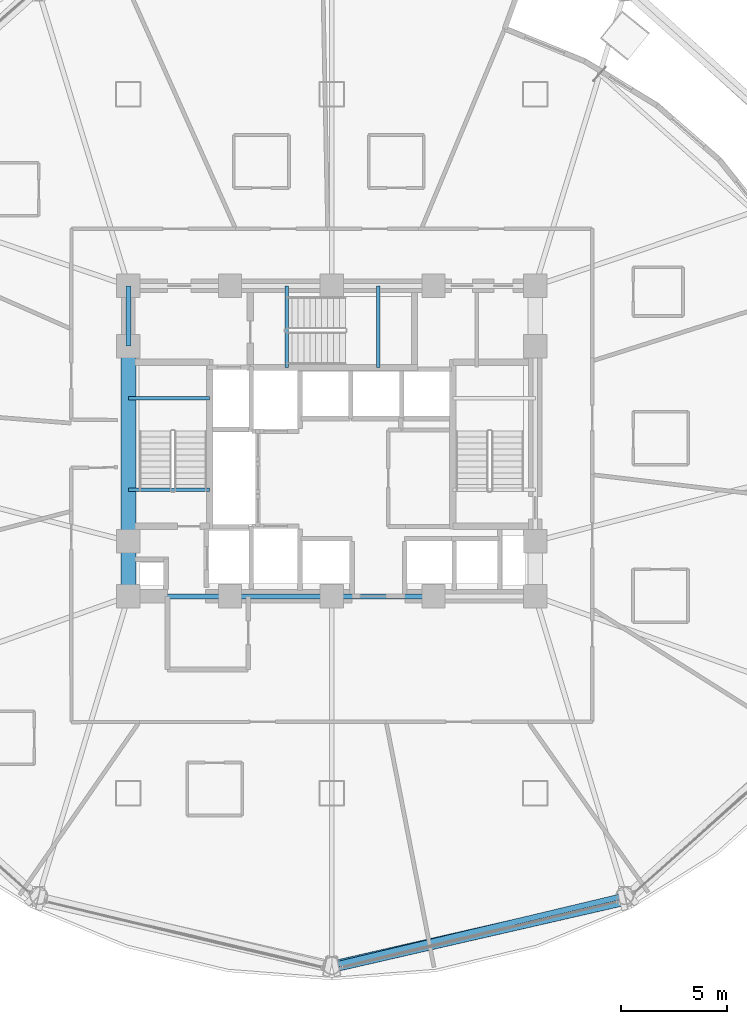
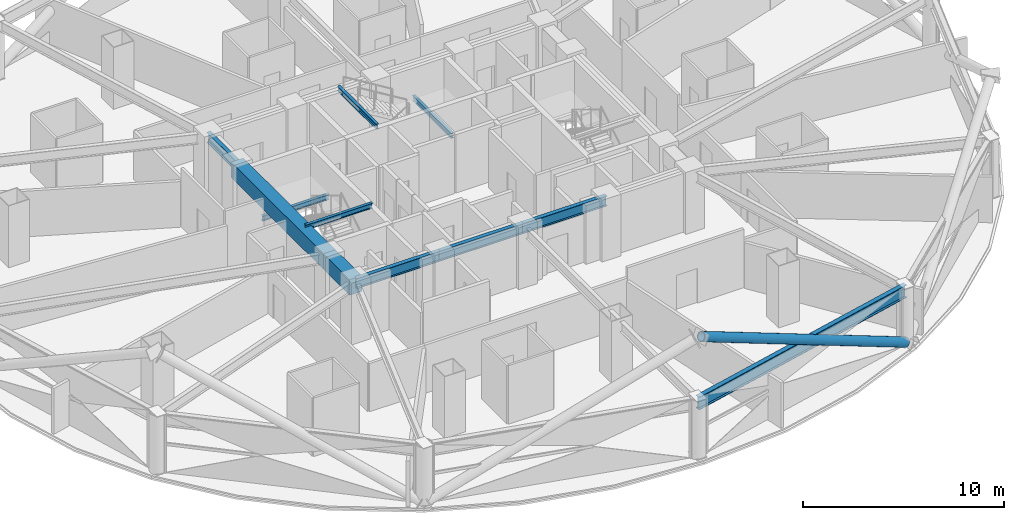
# One storey, part 7 of 33: 11 beams, 1 member.
"""IFC4 building model written with IfcOpenShell, lengths in metres."""

import ifcopenshell
import ifcopenshell.guid

model = None  # the IFC model being written
_history = None  # IfcOwnerHistory: only IFC2X3 demands one
_inside = {}  # id of a spatial element -> (the spatial element, [elements in it])
_under = {}  # id of a project, library or spatial element -> (it, [spatial elements below it])
_declared = {}  # id of a project -> (the project, [libraries it declares])
_typed = {}  # id of a type object -> (the type object, [elements of that type])
_made_of = {}  # id of a material, layer set ... -> (it, [elements and type objects made of it])


def new_model(schema):
    """Start an empty IFC model of exactly this schema.

    Asked for "IFC4X3", IfcOpenShell would pick the latest addendum, in which some entities
    have other attributes; the version numbers below select the first issue.
    IFC2X3 requires an IfcOwnerHistory on every rooted entity: one is made here for all.
    """
    global model, _history
    if schema == "IFC4X3":
        model = ifcopenshell.file(schema_version=(4, 3, 0, 0))
    else:
        model = ifcopenshell.file(schema=schema)
    _inside.clear()
    _under.clear()
    _declared.clear()
    _typed.clear()
    _made_of.clear()
    _history = None
    if model.schema == "IFC2X3":
        org = make("IfcOrganization", Name="unknown")
        user = make(
            "IfcPersonAndOrganization",
            ThePerson=make("IfcPerson", FamilyName="unknown"),
            TheOrganization=org,
        )
        app = make(
            "IfcApplication",
            ApplicationDeveloper=org,
            Version="unknown",
            ApplicationFullName="unknown",
            ApplicationIdentifier="unknown",
        )
        _history = make(
            "IfcOwnerHistory",
            OwningUser=user,
            OwningApplication=app,
            ChangeAction="ADDED",
            CreationDate=0,
        )
    return model


def make(cls, **values):
    """One entity of the class cls with the attributes given. An attribute that is None is left unset."""
    return model.create_entity(
        cls, **{name: value for name, value in values.items() if value is not None}
    )


def rooted(cls, **values):
    """An entity with a GlobalId (a new one), such as an element, a storey or a relation."""
    return make(cls, GlobalId=ifcopenshell.guid.new(), OwnerHistory=_history, **values)


def si_unit(unit_type, name, prefix=None):
    """IfcSIUnit, for example si_unit("LENGTHUNIT", "METRE", prefix="MILLI")."""
    return make("IfcSIUnit", UnitType=unit_type, Prefix=prefix, Name=name)


def assignment(units):
    """IfcUnitAssignment: the units of a project."""
    return None if units is None else make("IfcUnitAssignment", Units=units)


def point(xyz):
    """IfcCartesianPoint."""
    return None if xyz is None else make("IfcCartesianPoint", Coordinates=xyz)


def direction(xyz):
    """IfcDirection."""
    return None if xyz is None else make("IfcDirection", DirectionRatios=xyz)


def frame(location, z_axis=None, x_axis=None):
    """IfcAxis2Placement3D, a coordinate frame: its origin and axes. An axis left out is left unset."""
    return make(
        "IfcAxis2Placement3D",
        Location=point(location),
        Axis=direction(z_axis),
        RefDirection=direction(x_axis),
    )


def frame_2d(location, x_axis=None):
    """IfcAxis2Placement2D, a coordinate frame in the plane: its origin and x axis."""
    return make(
        "IfcAxis2Placement2D", Location=point(location), RefDirection=direction(x_axis)
    )


def origin():
    """The frame at (0, 0, 0) with its axes left unset."""
    return frame((0.0, 0.0, 0.0))


def origin_2d():
    """The frame at (0, 0) in the plane with its x axis left unset."""
    return frame_2d((0.0, 0.0))


def place(relative_to, where):
    """IfcLocalPlacement: puts the frame where relative to a parent placement (None: the world)."""
    return make(
        "IfcLocalPlacement", PlacementRelTo=relative_to, RelativePlacement=where
    )


def context(
    kind, dimensions, precision=None, world=None, true_north=None, identifier=None
):
    """IfcGeometricRepresentationContext, for example the 3D "Model" context."""
    return make(
        "IfcGeometricRepresentationContext",
        ContextIdentifier=identifier,
        ContextType=kind,
        CoordinateSpaceDimension=dimensions,
        Precision=precision,
        WorldCoordinateSystem=world,
        TrueNorth=true_north,
    )


def subcontext(parent, identifier, kind, view, scale=None):
    """IfcGeometricRepresentationSubContext, for example "Body" below "Model"."""
    return make(
        "IfcGeometricRepresentationSubContext",
        ContextIdentifier=identifier,
        ContextType=kind,
        ParentContext=parent,
        TargetScale=scale,
        TargetView=view,
    )


def project(units=None, contexts=None):
    """IfcProject with its units and contexts."""
    return rooted(
        "IfcProject",
        Name="project",
        RepresentationContexts=contexts,
        UnitsInContext=assignment(units),
    )


def spatial(cls, under=None, at=None, **own):
    """A site, building, storey or space (cls), placed at a placement, below another one or the project."""
    s = rooted(cls, ObjectPlacement=at, **own)
    if under is not None:
        _under.setdefault(under.id(), (under, []))[1].append(s)
    return s


def profile(cls, at=None, kind="AREA", **sizes):
    """A parametric profile (cls). Its sizes go by their IFC names, for example OverallWidth=200.0."""
    return make(cls, ProfileType=kind, Position=at, **sizes)


def rectangle(**sizes):
    """IfcRectangleProfileDef."""
    return profile("IfcRectangleProfileDef", **sizes)


def hollow_circle(**sizes):
    """IfcCircleHollowProfileDef."""
    return profile("IfcCircleHollowProfileDef", **sizes)


def i_section(**sizes):
    """IfcIShapeProfileDef."""
    return profile("IfcIShapeProfileDef", **sizes)


def extrude(swept, where, along, depth):
    """IfcExtrudedAreaSolid: the profile swept, set in the frame where, extruded along a direction by depth."""
    return make(
        "IfcExtrudedAreaSolid",
        SweptArea=swept,
        Position=where,
        ExtrudedDirection=direction(along),
        Depth=depth,
    )


def shape(context_of_items, identifier, shape_type, items):
    """IfcShapeRepresentation: the items that make up one representation, for example the "Body"."""
    return make(
        "IfcShapeRepresentation",
        ContextOfItems=context_of_items,
        RepresentationIdentifier=identifier,
        RepresentationType=shape_type,
        Items=items,
    )


def material(Name=None, Category=None):
    """IfcMaterial."""
    return make("IfcMaterial", Name=Name, Category=Category)


def material_profile(
    of_material, cross_section, Name=None, Category=None, Priority=None
):
    """IfcMaterialProfile: a cross section and its material."""
    return make(
        "IfcMaterialProfile",
        Name=Name,
        Material=of_material,
        Profile=cross_section,
        Priority=Priority,
        Category=Category,
    )


def profile_set(profiles, Name=None, composite=None):
    """IfcMaterialProfileSet."""
    return make(
        "IfcMaterialProfileSet",
        Name=Name,
        MaterialProfiles=profiles,
        CompositeProfile=composite,
    )


def made_of(thing, what):
    """Note that an element or type object is made of a material, layer set ...; save() writes the relation."""
    if what is not None:
        _made_of.setdefault(what.id(), (what, []))[1].append(thing)
    return thing


def type_object(cls, material=None, **own):
    """A type object (cls), such as IfcWallType, which elements share."""
    return made_of(rooted(cls, **own), material)


def element(
    cls,
    number,
    at=None,
    inside=None,
    cuts=None,
    type_object=None,
    material=None,
    context=None,
    identifier="Body",
    shape_type=None,
    held_by="IfcProductDefinitionShape",
    body=None,
    shapes=None,
    **own,
):
    """One element of the class cls, such as IfcWall. Its Tag is "e" and its number.

    at: its placement. inside: the storey or other place that contains it. cuts: it is an
    opening in that element (IfcRelVoidsElement). A single representation is given by context,
    identifier, shape_type and body (its items); several are given by shapes. held_by: the class
    of the entity that holds the representations. save() writes the other relations.
    """
    e = rooted(cls, Tag="e%d" % number, ObjectPlacement=at, **own)
    if body is not None:
        shapes = [shape(context, identifier, shape_type, body)]
    if shapes is not None:
        e.Representation = make(held_by, Representations=shapes)
    if inside is not None:
        _inside.setdefault(inside.id(), (inside, []))[1].append(e)
    if cuts is not None:
        rooted(
            "IfcRelVoidsElement", RelatingBuildingElement=cuts, RelatedOpeningElement=e
        )
    if type_object is not None:
        _typed.setdefault(type_object.id(), (type_object, []))[1].append(e)
    return made_of(e, material)


def aggregate(whole, parts):
    """IfcRelAggregates: a whole, such as a stair, and the parts it consists of."""
    return rooted("IfcRelAggregates", RelatingObject=whole, RelatedObjects=parts)


def save(model, path):
    """Write the relations noted so far, then the file.

    IfcRelAggregates (storeys below a building ...), IfcRelContainedInSpatialStructure (elements
    in a storey), IfcRelDefinesByType, IfcRelAssociatesMaterial and IfcRelDeclares: one each for
    every whole, place, type object, material and project.
    """
    for whole, parts in _under.values():
        aggregate(whole, parts)
    for where, things in _inside.values():
        rooted(
            "IfcRelContainedInSpatialStructure",
            RelatedElements=things,
            RelatingStructure=where,
        )
    for kind, things in _typed.values():
        rooted("IfcRelDefinesByType", RelatedObjects=things, RelatingType=kind)
    for what, things in _made_of.values():
        rooted("IfcRelAssociatesMaterial", RelatedObjects=things, RelatingMaterial=what)
    for by, libraries in _declared.values():
        rooted("IfcRelDeclares", RelatingContext=by, RelatedDefinitions=libraries)
    model.write(path)


model = new_model("IFC4")

# Units and contexts
model_context = context("Model", 3, precision=1e-05, world=origin(), true_north=direction((0.0, 1.0)))
body_context = subcontext(model_context, "Body", "Model", "MODEL_VIEW")
ifc_project = project(units=[si_unit("LENGTHUNIT", "METRE"), si_unit("AREAUNIT", "SQUARE_METRE"), si_unit("VOLUMEUNIT", "CUBIC_METRE"), si_unit("PLANEANGLEUNIT", "RADIAN"), si_unit("MASSUNIT", "GRAM", prefix="KILO")], contexts=[model_context])

# Site, building, storey
site_placement = place(None, origin())
site = spatial("IfcSite", under=ifc_project, at=site_placement, CompositionType="ELEMENT")
building_placement = place(site_placement, origin())
building = spatial("IfcBuilding", under=site, at=building_placement, Name="Vantalir Tower", CompositionType="ELEMENT")
storey_placement = place(building_placement, frame((0.0, 0.0, 72.0)))
storey = spatial("IfcBuildingStorey", under=building, at=storey_placement, Name="L17", CompositionType="ELEMENT", Elevation=72.0)

# Beams
ifc_material_1 = material(Name="Concrete C60/75", Category="concrete")
ifc_material_profile_1 = material_profile(ifc_material_1, rectangle(XDim=0.699951171875, YDim=0.949951171875, at=origin_2d()), Name="Concrete C60/75")
ifc_profile_set_1 = profile_set([ifc_material_profile_1], Name="Concrete C60/75")
beam_type_1 = type_object("IfcBeamType", Name="BM-CB-700x950", PredefinedType="USERDEFINED", material=ifc_profile_set_1)
beam_1_placement = place(storey_placement, frame((21.89990234375, 29.60009765625, 3.094970703125), z_axis=(0.0, -1.0, 0.0), x_axis=(1.0, 0.0, 0.0)))
element("IfcBeam", 1, at=beam_1_placement, inside=storey, type_object=beam_type_1, Name="L17 Core Coupling Girder 13", ObjectType="GIRDER", PredefinedType="USERDEFINED", context=body_context, shape_type="SweptSolid", body=[
    extrude(rectangle(XDim=0.699951171875, YDim=0.949951171875, at=origin_2d()), origin(), (0.0, 0.0, 1.0), 9.2001953125),
])
beam_2_placement = place(storey_placement, frame((21.89990234375, 20.39990234375, 3.094970703125), z_axis=(0.0, -1.0, 0.0), x_axis=(1.0, 0.0, 0.0)))
element("IfcBeam", 2, at=beam_2_placement, inside=storey, type_object=beam_type_1, Name="L17 Core Coupling Girder 14", ObjectType="GIRDER", PredefinedType="USERDEFINED", context=body_context, shape_type="SweptSolid", body=[
    extrude(rectangle(XDim=0.699951171875, YDim=0.949951171875, at=origin_2d()), origin(), (0.0, 0.0, 1.0), 2.599853515625),
])
ifc_material_2 = material(Name="Steel S355", Category="steel")
ifc_material_profile_2 = material_profile(ifc_material_2, i_section(OverallWidth=0.166015625, OverallDepth=0.306884765625, WebThickness=0.006591796875, FlangeThickness=0.01171875, at=origin_2d()), Name="Steel S355")
ifc_profile_set_2 = profile_set([ifc_material_profile_2], Name="Steel S355")
beam_type_2 = type_object("IfcBeamType", Name="BM-JS-305x165", PredefinedType="JOIST", material=ifc_profile_set_2)
for number, where, z_axis, x_axis, name in (
    (3, (21.89990234375, 22.8349609375, 3.595947265625), (1.0, 0.0, 0.0), (0.0, 1.0, 0.0), "L18 Stair ST1 Well Nosing Trimmer Beam"),
    (4, (21.89990234375, 27.14501953125, 1.52197265625), (1.0, 0.0, 0.0), (0.0, 1.0, 0.0), "L17 Stair ST1 Half-Landing Support Beam"),
):
    element("IfcBeam", number, at=place(storey_placement, frame(where, z_axis=z_axis, x_axis=x_axis)), inside=storey, type_object=beam_type_2, Name=name, PredefinedType="JOIST", context=body_context, shape_type="SweptSolid", body=[
        extrude(i_section(OverallWidth=0.166015625, OverallDepth=0.306884765625, WebThickness=0.006591796875, FlangeThickness=0.01171875, at=origin_2d()), origin(), (0.0, 0.0, 1.0), 3.840087890625),
    ])
for number, where, z_axis, x_axis, name in (
    (5, (29.385009765625, 28.60009765625, 3.595947265625), (0.0, 1.0, 0.0), (-1.0, 0.0, 0.0), "L18 Stair ST3 Well Nosing Trimmer Beam"),
    (6, (33.695068359375, 28.60009765625, 1.52197265625), (0.0, 1.0, 0.0), (-1.0, 0.0, 0.0), "L17 Stair ST3 Half-Landing Support Beam"),
):
    element("IfcBeam", number, at=place(storey_placement, frame(where, z_axis=z_axis, x_axis=x_axis)), inside=storey, type_object=beam_type_2, Name=name, PredefinedType="JOIST", context=body_context, shape_type="SweptSolid", body=[
        extrude(i_section(OverallWidth=0.166015625, OverallDepth=0.306884765625, WebThickness=0.006591796875, FlangeThickness=0.01171875, at=origin_2d()), origin(), (0.0, 0.0, 1.0), 3.849853515625),
    ])
ifc_material_profile_3 = material_profile(ifc_material_2, i_section(OverallWidth=0.22998046875, OverallDepth=0.616943359375, WebThickness=0.01318359375, FlangeThickness=0.022216796875, at=origin_2d()), Name="Steel S355")
ifc_profile_set_3 = profile_set([ifc_material_profile_3], Name="Steel S355")
beam_type_3 = type_object("IfcBeamType", Name="BM-RB-610x229", PredefinedType="BEAM", material=ifc_profile_set_3)
for number, where, z_axis, x_axis, name in (
    (7, (21.89990234375, 17.800048828125, 3.261962890625), (1.0, 0.0, 0.0), (0.0, 1.0, 0.0), "L17 Core Coupling Girder 01"),
    (8, (26.699951171875, 17.800048828125, 3.261962890625), (1.0, 0.0, 0.0), (0.0, 1.0, 0.0), "L17 Core Coupling Girder 02"),
    (9, (31.5, 17.800048828125, 3.261962890625), (1.0, 0.0, 0.0), (0.0, 1.0, 0.0), "L17 Core Coupling Girder 03"),
):
    element("IfcBeam", number, at=place(storey_placement, frame(where, z_axis=z_axis, x_axis=x_axis)), inside=storey, type_object=beam_type_3, Name=name, PredefinedType="BEAM", context=body_context, shape_type="SweptSolid", body=[
        extrude(i_section(OverallWidth=0.22998046875, OverallDepth=0.616943359375, WebThickness=0.01318359375, FlangeThickness=0.022216796875, at=origin_2d()), origin(), (0.0, 0.0, 1.0), 4.800048828125),
    ])
beam_3_placement = place(storey_placement, frame((21.89990234375, 32.449951171875, 3.261962890625), z_axis=(0.0, -1.0, 0.0), x_axis=(1.0, 0.0, 0.0)))
element("IfcBeam", 10, at=beam_3_placement, inside=storey, type_object=beam_type_3, Name="L17 Core Coupling Girder 12", PredefinedType="BEAM", context=body_context, shape_type="SweptSolid", body=[
    extrude(i_section(OverallWidth=0.22998046875, OverallDepth=0.616943359375, WebThickness=0.01318359375, FlangeThickness=0.022216796875, at=origin_2d()), origin(), (0.0, 0.0, 1.0), 2.849853515625),
])
ifc_material_3 = material(Name="Steel S460", Category="steel")
ifc_material_profile_4 = material_profile(ifc_material_3, i_section(OverallWidth=0.26806640625, OverallDepth=0.77001953125, WebThickness=0.015625, FlangeThickness=0.025390625, at=origin_2d()), Name="Steel S460")
ifc_profile_set_4 = profile_set([ifc_material_profile_4], Name="Steel S460")
beam_type_4 = type_object("IfcBeamType", Name="BM-RG-762x267", PredefinedType="USERDEFINED", material=ifc_profile_set_4)
beam_4_placement = place(storey_placement, frame((31.5, 0.37109375, 3.18505859375), z_axis=(0.972676867925, 0.232163112064, 0.0), x_axis=(-0.232163112064, 0.972676867925, 0.0)))
element("IfcBeam", 11, at=beam_4_placement, inside=storey, type_object=beam_type_4, Name="L17 Circumferential Ring Girder 10", ObjectType="GIRDER", PredefinedType="USERDEFINED", context=body_context, shape_type="SweptSolid", body=[
    extrude(i_section(OverallWidth=0.26806640625, OverallDepth=0.77001953125, WebThickness=0.015625, FlangeThickness=0.025390625, at=origin_2d()), origin(), (0.0, 0.0, 1.0), 14.21337890625),
])

# Member
ifc_material_profile_5 = material_profile(ifc_material_3, hollow_circle(Radius=0.27001953125, WallThickness=0.044921875, at=origin_2d()), Name="Steel S460")
ifc_profile_set_5 = profile_set([ifc_material_profile_5], Name="Steel S460")
member_type = type_object("IfcMemberType", Name="MEM-DB-540x45", PredefinedType="BRACE", material=ifc_profile_set_5)
member_placement = place(storey_placement, frame((45.22802734375, 3.4619140625, 0.178955078125), z_axis=(-0.871347449948, -0.19974796351, 0.448167795076), x_axis=(0.223444359714, -0.974716686074, 0.0)))
element("IfcMember", 12, at=member_placement, inside=storey, type_object=member_type, Name="L17 Perimeter S460 Diagrid Brace R31R", PredefinedType="BRACE", context=body_context, shape_type="SweptSolid", body=[
    extrude(hollow_circle(Radius=0.27001953125, WallThickness=0.044921875, at=origin_2d()), origin(), (0.0, 0.0, 1.0), 15.53466796875),
])

save(model, "model.ifc")
